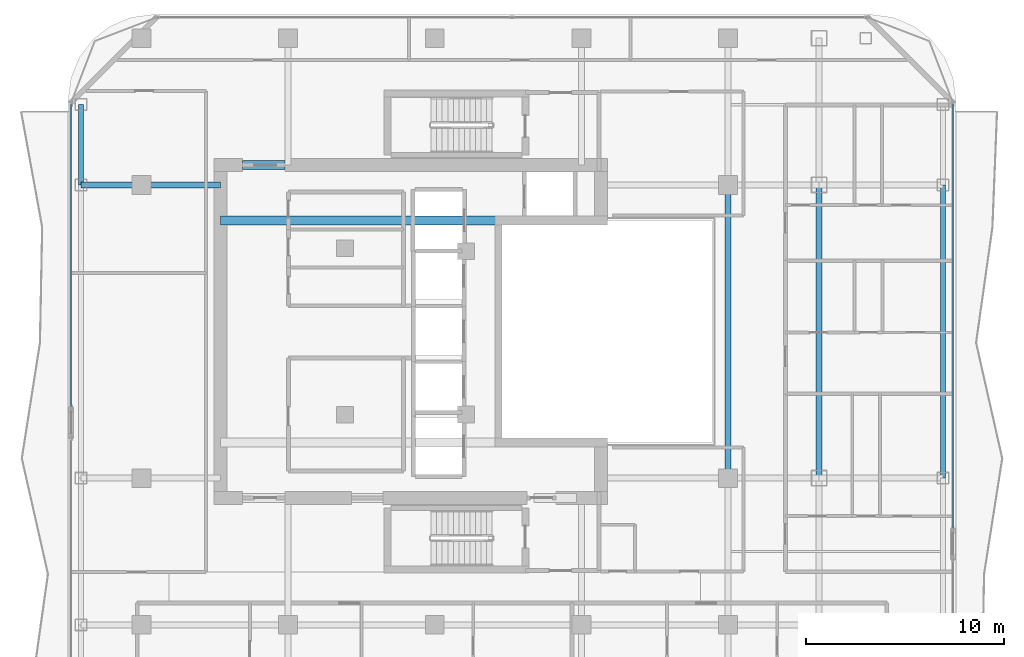
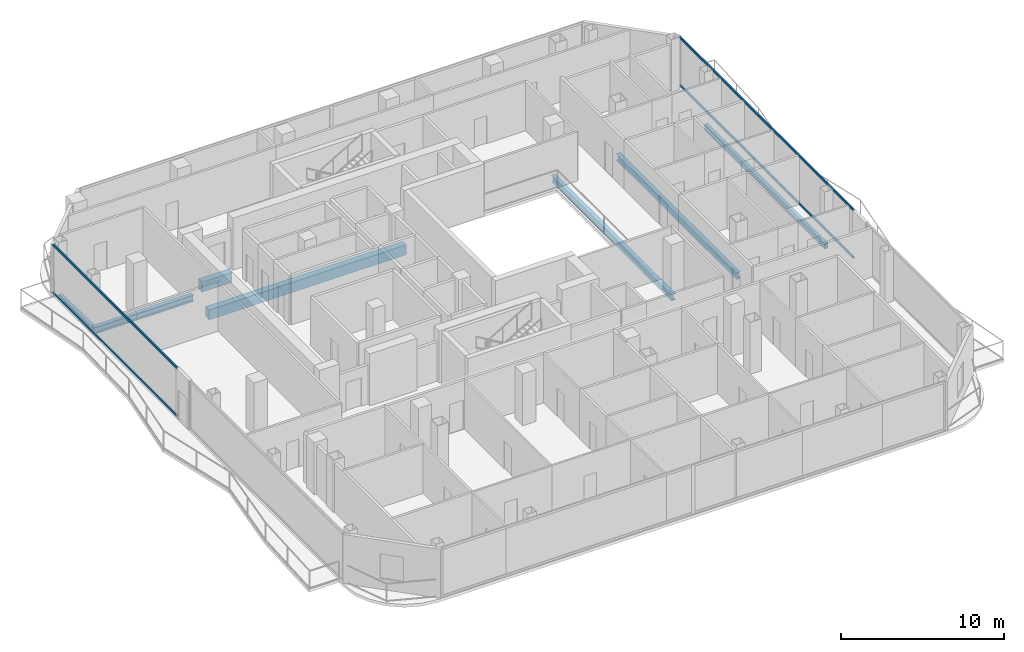
# One storey, part 12 of 27: 8 beams, 4 members, 2 elements without a shape of their own.
"""IFC4 building model written with IfcOpenShell, lengths in metres."""

from ifc_helpers import new_model, si_unit, direction, frame, origin, origin_2d, place, context, subcontext, project, spatial, rectangle, hollow_rectangle, i_section, extrude, material, layer, layer_set, material_profile, profile_set, type_object, element, aggregate, save


model = new_model("IFC4")

# Units and contexts
model_context = context("Model", 3, precision=1e-05, world=origin(), true_north=direction((0.0, 1.0)))
body_context = subcontext(model_context, "Body", "Model", "MODEL_VIEW")
ifc_project = project(units=[si_unit("LENGTHUNIT", "METRE"), si_unit("AREAUNIT", "SQUARE_METRE"), si_unit("VOLUMEUNIT", "CUBIC_METRE"), si_unit("PLANEANGLEUNIT", "RADIAN"), si_unit("MASSUNIT", "GRAM", prefix="KILO")], contexts=[model_context])

# Site, building, storey
site_placement = place(None, origin())
site = spatial("IfcSite", under=ifc_project, at=site_placement, CompositionType="ELEMENT")
building_placement = place(site_placement, origin())
building = spatial("IfcBuilding", under=site, at=building_placement, Name="Khorvyn Point Tower", CompositionType="ELEMENT")
storey_placement = place(building_placement, frame((0.0, 0.0, 246.89990234375)))
storey = spatial("IfcBuildingStorey", under=building, at=storey_placement, Name="L60", CompositionType="ELEMENT", Elevation=246.89990234375)

# Curtain wall, members
ifc_material_1 = material(Name="Anodised aluminium 6063-T6 and laminated Low-E glass", Category="aluminium")
ifc_layer = layer(ifc_material_1, 0.18994140625)
ifc_layer_set = layer_set([ifc_layer], Name="Stick-Built Acoustic Curtain Wall CW-SYS-03")
curtain_wall_type = type_object("IfcCurtainWallType", Name="Stick-Built Acoustic Curtain Wall CW-SYS-03", PredefinedType="NOTDEFINED", material=ifc_layer_set)
curtain_wall_1_placement = place(storey_placement, origin())
curtain_wall_1 = element("IfcCurtainWall", 1, at=curtain_wall_1_placement, inside=storey, type_object=curtain_wall_type, Name="Curtain Wall", PredefinedType="NOTDEFINED")
ifc_material_2 = material(Name="Anodised aluminium 6063-T6", Category="aluminium")
ifc_material_profile_1 = material_profile(ifc_material_2, hollow_rectangle(XDim=0.10009765625, YDim=0.159912109375, WallThickness=0.00439453125, at=origin_2d()))
ifc_profile_set_1 = profile_set([ifc_material_profile_1], Name="Anodised aluminium 6063-T6 ALU-TRN-100x160")
member_type = type_object("IfcMemberType", Name="Anodised Aluminium 6063-T6 Transom ALU-TRN-100x160", PredefinedType="USERDEFINED", material=ifc_profile_set_1)
member_1_placement = place(storey_placement, frame((-18.35009765625, -3.784912109375, 0.050048828125), z_axis=(0.0, 1.0, 0.0), x_axis=(-1.0, 0.0, 0.0)))
member_1 = element("IfcMember", 2, at=member_1_placement, type_object=member_type, Name="Transom", ObjectType="TRANSOM", PredefinedType="USERDEFINED", context=body_context, shape_type="SweptSolid", body=[
    extrude(hollow_rectangle(XDim=0.10009765625, YDim=0.159912109375, WallThickness=0.00439453125, at=origin_2d()), origin(), (0.0, 0.0, 1.0), 15.23486328125),
])
member_2_placement = place(storey_placement, frame((-18.35009765625, -3.784912109375, 3.630126953125), z_axis=(0.0, 1.0, 0.0), x_axis=(-1.0, 0.0, 0.0)))
member_2 = element("IfcMember", 3, at=member_2_placement, type_object=member_type, Name="Transom", ObjectType="TRANSOM", PredefinedType="USERDEFINED", context=body_context, shape_type="SweptSolid", body=[
    extrude(hollow_rectangle(XDim=0.10009765625, YDim=0.159912109375, WallThickness=0.00439453125, at=origin_2d()), origin(), (0.0, 0.0, 1.0), 15.23486328125),
])
aggregate(curtain_wall_1, [member_1, member_2])

curtain_wall_2_placement = place(storey_placement, origin())
curtain_wall_2 = element("IfcCurtainWall", 4, at=curtain_wall_2_placement, inside=storey, type_object=curtain_wall_type, Name="Curtain Wall", PredefinedType="NOTDEFINED")
member_3_placement = place(storey_placement, frame((26.14990234375, 11.449951171875, 0.050048828125), z_axis=(0.0, -1.0, 0.0), x_axis=(1.0, 0.0, 0.0)))
member_3 = element("IfcMember", 5, at=member_3_placement, type_object=member_type, Name="Transom", ObjectType="TRANSOM", PredefinedType="USERDEFINED", context=body_context, shape_type="SweptSolid", body=[
    extrude(hollow_rectangle(XDim=0.10009765625, YDim=0.159912109375, WallThickness=0.00439453125, at=origin_2d()), origin(), (0.0, 0.0, 1.0), 21.349853515625),
])
member_4_placement = place(storey_placement, frame((26.14990234375, 11.449951171875, 3.630126953125), z_axis=(0.0, -1.0, 0.0), x_axis=(1.0, 0.0, 0.0)))
member_4 = element("IfcMember", 6, at=member_4_placement, type_object=member_type, Name="Transom", ObjectType="TRANSOM", PredefinedType="USERDEFINED", context=body_context, shape_type="SweptSolid", body=[
    extrude(hollow_rectangle(XDim=0.10009765625, YDim=0.159912109375, WallThickness=0.00439453125, at=origin_2d()), origin(), (0.0, 0.0, 1.0), 21.349853515625),
])
aggregate(curtain_wall_2, [member_3, member_4])

# Beams
ifc_material_3 = material(Name="Concrete C40/50", Category="concrete")
ifc_material_profile_2 = material_profile(ifc_material_3, rectangle(XDim=0.449951171875, YDim=0.75, at=origin_2d()))
ifc_profile_set_2 = profile_set([ifc_material_profile_2], Name="Concrete C40/50 RC450x750")
beam_type_1 = type_object("IfcBeamType", Name="Concrete C40/50 Beam RC450x750", PredefinedType="BEAM", material=ifc_profile_set_2)
beam_1_placement = place(storey_placement, frame((-10.800048828125, 5.60009765625, -0.594970703125), z_axis=(1.0, 0.0, 0.0), x_axis=(0.0, 1.0, 0.0)))
element("IfcBeam", 7, at=beam_1_placement, inside=storey, type_object=beam_type_1, Name="L60 Core Internal Tie Girder N", PredefinedType="BEAM", context=body_context, shape_type="SweptSolid", body=[
    extrude(rectangle(XDim=0.449951171875, YDim=0.75, at=origin_2d()), origin(), (0.0, 0.0, 1.0), 14.02001953125),
])
beam_2_placement = place(storey_placement, frame((-9.699951171875, 8.39990234375, -0.594970703125), z_axis=(1.0, 0.0, 0.0), x_axis=(0.0, 1.0, 0.0)))
element("IfcBeam", 8, at=beam_2_placement, inside=storey, type_object=beam_type_1, Name="L60 Core Northwest Portal Coupling Beam", PredefinedType="BEAM", context=body_context, shape_type="SweptSolid", body=[
    extrude(rectangle(XDim=0.449951171875, YDim=0.75, at=origin_2d()), origin(), (0.0, 0.0, 1.0), 2.14990234375),
])
ifc_material_4 = material(Name="Steel S355", Category="steel")
ifc_material_profile_3 = material_profile(ifc_material_4, i_section(OverallWidth=0.300048828125, OverallDepth=0.488037109375, WebThickness=0.010986328125, FlangeThickness=0.01806640625, at=origin_2d()))
ifc_profile_set_3 = profile_set([ifc_material_profile_3], Name="Steel S355 H488x300x11x18")
beam_type_2 = type_object("IfcBeamType", Name="Steel S355 Spandrel H488x300x11x18", PredefinedType="SPANDREL", material=ifc_profile_set_3)
beam_3_placement = place(storey_placement, frame((-17.85009765625, 7.39990234375, -0.4638671875), z_axis=(1.0, 0.0, 0.0), x_axis=(0.0, 1.0, 0.0)))
element("IfcBeam", 9, at=beam_3_placement, inside=storey, type_object=beam_type_2, Name="Beam", PredefinedType="SPANDREL", context=body_context, shape_type="SweptSolid", body=[
    extrude(i_section(OverallWidth=0.300048828125, OverallDepth=0.488037109375, WebThickness=0.010986328125, FlangeThickness=0.01806640625, at=origin_2d()), origin(), (0.0, 0.0, 1.0), 3.050048828125),
])
beam_4_placement = place(storey_placement, frame((-14.800048828125, 7.39990234375, -0.4638671875), z_axis=(1.0, 0.0, 0.0), x_axis=(0.0, 1.0, 0.0)))
element("IfcBeam", 10, at=beam_4_placement, inside=storey, type_object=beam_type_2, Name="Beam", PredefinedType="SPANDREL", context=body_context, shape_type="SweptSolid", body=[
    extrude(i_section(OverallWidth=0.300048828125, OverallDepth=0.488037109375, WebThickness=0.010986328125, FlangeThickness=0.01806640625, at=origin_2d()), origin(), (0.0, 0.0, 1.0), 4.0),
])
for number, where, z_axis, x_axis, name in (
    (11, (14.800048828125, -7.39990234375, -0.4638671875), (0.0, 1.0, 0.0), (-1.0, 0.0, 0.0), "Beam"),
    (12, (19.39990234375, -7.39990234375, -0.4638671875), (0.0, 1.0, 0.0), (-1.0, 0.0, 0.0), "Beam"),
):
    element("IfcBeam", number, at=place(storey_placement, frame(where, z_axis=z_axis, x_axis=x_axis)), inside=storey, type_object=beam_type_2, Name=name, PredefinedType="SPANDREL", context=body_context, shape_type="SweptSolid", body=[
        extrude(i_section(OverallWidth=0.300048828125, OverallDepth=0.488037109375, WebThickness=0.010986328125, FlangeThickness=0.01806640625, at=origin_2d()), origin(), (0.0, 0.0, 1.0), 14.7998046875),
    ])
ifc_material_profile_4 = material_profile(ifc_material_4, hollow_rectangle(XDim=0.25, YDim=0.39990234375, WallThickness=0.01611328125, at=origin_2d()))
ifc_profile_set_4 = profile_set([ifc_material_profile_4], Name="Steel S355 RHS400x250x16")
beam_type_3 = type_object("IfcBeamType", Name="Steel S355 Spandrel RHS400x250x16", PredefinedType="SPANDREL", material=ifc_profile_set_4)
beam_5_placement = place(storey_placement, frame((-17.85009765625, 7.39990234375, -0.419921875), z_axis=(0.0, 1.0, 0.0), x_axis=(-1.0, 0.0, 0.0)))
element("IfcBeam", 13, at=beam_5_placement, inside=storey, type_object=beam_type_3, Name="Beam", PredefinedType="SPANDREL", context=body_context, shape_type="SweptSolid", body=[
    extrude(hollow_rectangle(XDim=0.25, YDim=0.39990234375, WallThickness=0.01611328125, at=origin_2d()), origin(), (0.0, 0.0, 1.0), 4.050048828125),
])
beam_6_placement = place(storey_placement, frame((25.64990234375, -7.39990234375, -0.419921875), z_axis=(0.0, 1.0, 0.0), x_axis=(-1.0, 0.0, 0.0)))
element("IfcBeam", 14, at=beam_6_placement, inside=storey, type_object=beam_type_3, Name="Beam", PredefinedType="SPANDREL", context=body_context, shape_type="SweptSolid", body=[
    extrude(hollow_rectangle(XDim=0.25, YDim=0.39990234375, WallThickness=0.01611328125, at=origin_2d()), origin(), (0.0, 0.0, 1.0), 14.7998046875),
])

save(model, "model.ifc")
